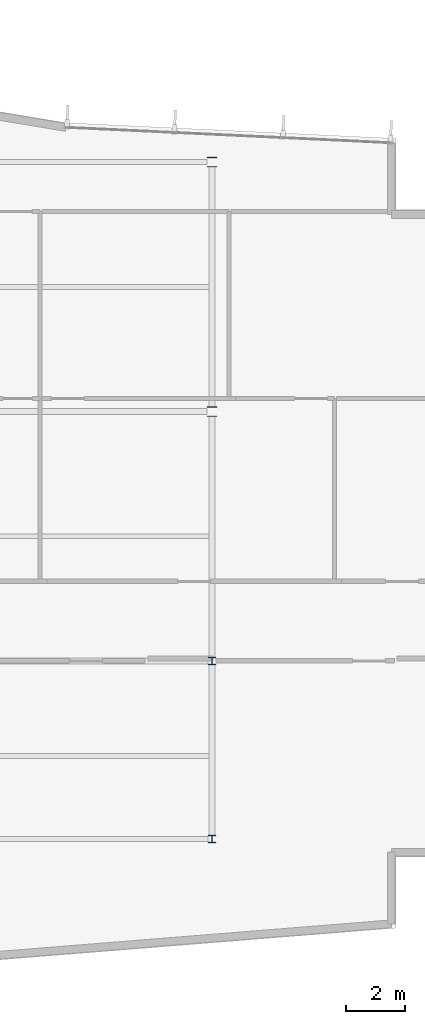
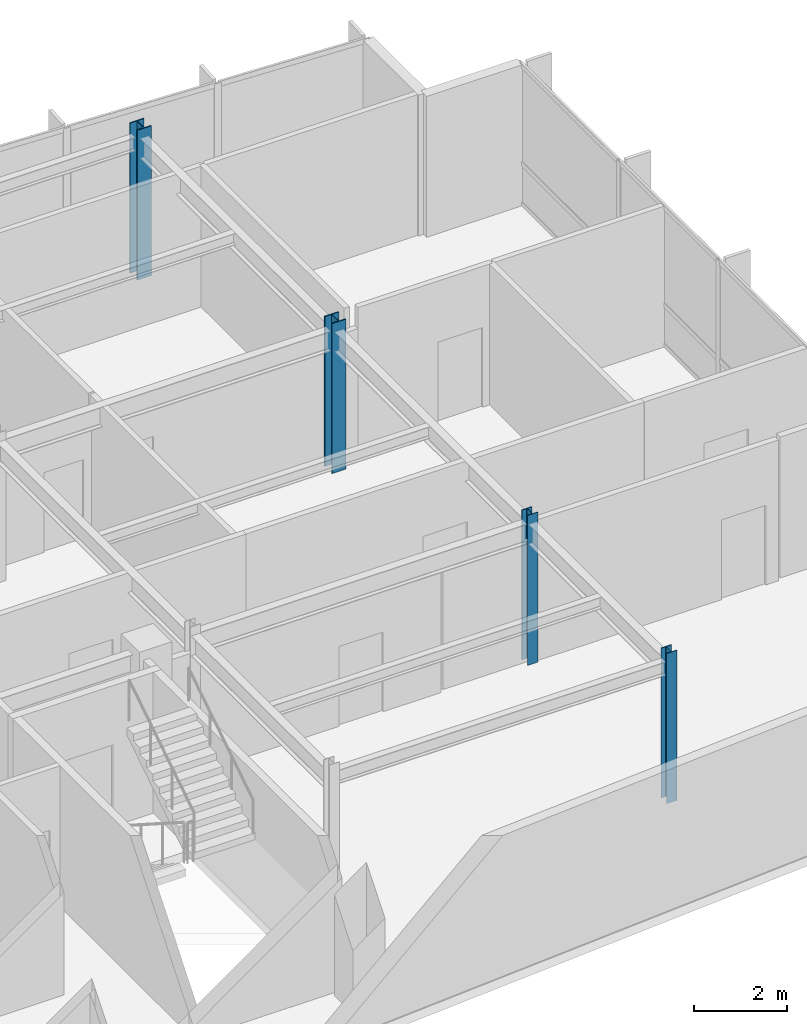
# One storey, part 3 of 16: 4 columns.
"""IFC4 building model written with IfcOpenShell, lengths in metres."""

from ifc_helpers import new_model, si_unit, direction, frame, origin, origin_2d, place, context, subcontext, project, spatial, i_section, extrude, material, material_profile, profile_set, type_object, element, save


model = new_model("IFC4")

# Units and contexts
model_context = context("Model", 3, precision=1e-05, world=origin(), true_north=direction((0.0, 1.0)))
body_context = subcontext(model_context, "Body", "Model", "MODEL_VIEW")
ifc_project = project(units=[si_unit("LENGTHUNIT", "METRE"), si_unit("AREAUNIT", "SQUARE_METRE"), si_unit("VOLUMEUNIT", "CUBIC_METRE"), si_unit("PLANEANGLEUNIT", "RADIAN"), si_unit("MASSUNIT", "GRAM", prefix="KILO")], contexts=[model_context])

# Site, building, storey
site_placement = place(None, origin())
site = spatial("IfcSite", under=ifc_project, at=site_placement, CompositionType="ELEMENT")
building_placement = place(site_placement, origin())
building = spatial("IfcBuilding", under=site, at=building_placement, Name="Varnakote Quay Hospital", CompositionType="ELEMENT")
storey_placement = place(building_placement, frame((0.0, 0.0, 264.449951171875)))
storey = spatial("IfcBuildingStorey", under=building, at=storey_placement, Name="L65", CompositionType="ELEMENT", Elevation=264.449951171875)

# Columns
ifc_material_1 = material(Name="Structural steel AS/NZS 3679.1 Grade 350 L0 (fy 340 MPa)", Category="steel")
ifc_material_profile_1 = material_profile(ifc_material_1, i_section(OverallWidth=0.25390625, OverallDepth=0.25390625, WebThickness=0.008544921875, FlangeThickness=0.01416015625, FilletRadius=0.0126953125, at=origin_2d()), Name="250UC72.9")
ifc_profile_set_1 = profile_set([ifc_material_profile_1], Name="Structural steel AS/NZS 3679.1 Grade 350 L0 (fy 340 MPa)")
column_type_1 = type_object("IfcColumnType", Name="COL-STL-250UC72-9", PredefinedType="COLUMN", material=ifc_profile_set_1)
for number, where, z_axis, x_axis, name in (
    (1, (33.60009765625, 6.0, 0.0), (0.0, 0.0, 1.0), (1.0, 0.0, 0.0), "L65 Structural Column C-34-6"),
    (2, (33.60009765625, 12.0, 0.0), (0.0, 0.0, 1.0), (1.0, 0.0, 0.0), "L65 Structural Column C-34-12"),
):
    element("IfcColumn", number, at=place(storey_placement, frame(where, z_axis=z_axis, x_axis=x_axis)), inside=storey, type_object=column_type_1, Name=name, PredefinedType="COLUMN", context=body_context, shape_type="SweptSolid", body=[
        extrude(i_section(OverallWidth=0.25390625, OverallDepth=0.25390625, WebThickness=0.008544921875, FlangeThickness=0.01416015625, FilletRadius=0.0126953125, at=origin_2d()), origin(), (0.0, 0.0, 1.0), 3.949951171875),
    ])
ifc_material_2 = material(Name="Structural steel AS/NZS 3678 Grade 350 (fy 340 MPa)", Category="steel")
ifc_material_profile_2 = material_profile(ifc_material_2, i_section(OverallWidth=0.35009765625, OverallDepth=0.340087890625, WebThickness=0.01611328125, FlangeThickness=0.028076171875, at=origin_2d()), Name="350WC197")
ifc_profile_set_2 = profile_set([ifc_material_profile_2], Name="Structural steel AS/NZS 3678 Grade 350 (fy 340 MPa)")
column_type_2 = type_object("IfcColumnType", Name="COL-STL-350WC197", PredefinedType="COLUMN", material=ifc_profile_set_2)
for number, where, z_axis, x_axis, name in (
    (3, (33.60009765625, 20.39990234375, 0.0), (0.0, 0.0, 1.0), (1.0, 0.0, 0.0), "L65 Structural Column C-34-20"),
    (4, (33.60009765625, 28.800048828125, 0.0), (0.0, 0.0, 1.0), (1.0, 0.0, 0.0), "L65 Structural Column C-34-29"),
):
    element("IfcColumn", number, at=place(storey_placement, frame(where, z_axis=z_axis, x_axis=x_axis)), inside=storey, type_object=column_type_2, Name=name, PredefinedType="COLUMN", context=body_context, shape_type="SweptSolid", body=[
        extrude(i_section(OverallWidth=0.35009765625, OverallDepth=0.340087890625, WebThickness=0.01611328125, FlangeThickness=0.028076171875, at=origin_2d()), origin(), (0.0, 0.0, 1.0), 3.949951171875),
    ])

save(model, "model.ifc")
